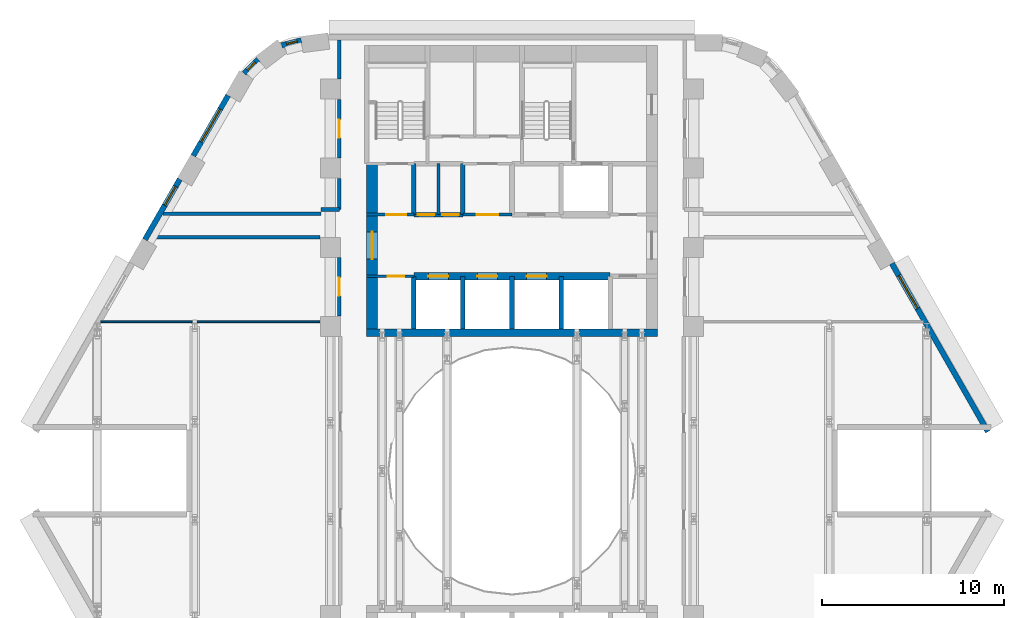
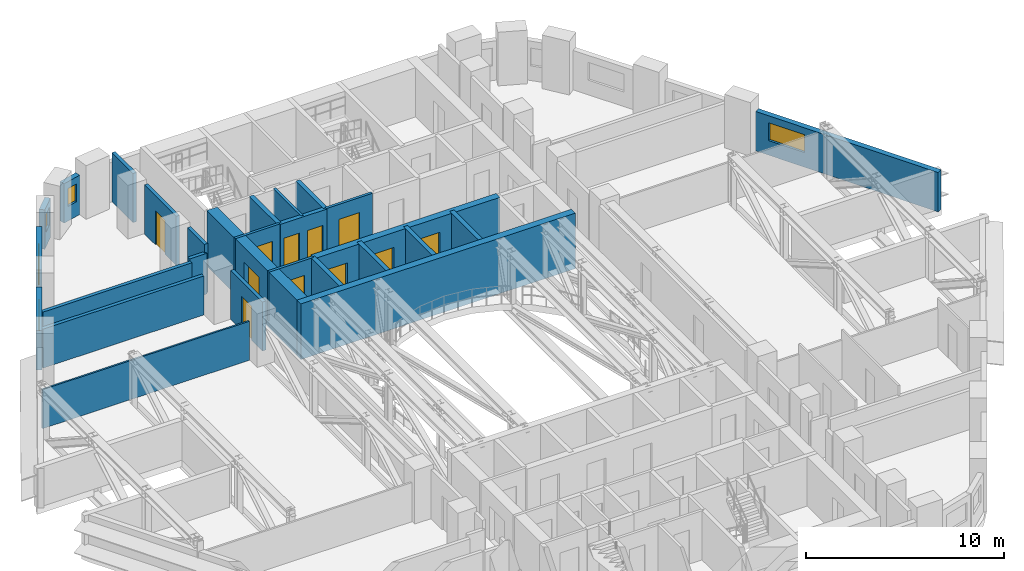
# One storey, part 9 of 18: 27 walls, 11 doors, 5 windows, 16 openings.
"""IFC4 building model written with IfcOpenShell, lengths in metres."""

import ifcopenshell
import ifcopenshell.guid

model = None  # the IFC model being written
_history = None  # IfcOwnerHistory: only IFC2X3 demands one
_inside = {}  # id of a spatial element -> (the spatial element, [elements in it])
_under = {}  # id of a project, library or spatial element -> (it, [spatial elements below it])
_declared = {}  # id of a project -> (the project, [libraries it declares])
_typed = {}  # id of a type object -> (the type object, [elements of that type])
_made_of = {}  # id of a material, layer set ... -> (it, [elements and type objects made of it])


def new_model(schema):
    """Start an empty IFC model of exactly this schema.

    Asked for "IFC4X3", IfcOpenShell would pick the latest addendum, in which some entities
    have other attributes; the version numbers below select the first issue.
    IFC2X3 requires an IfcOwnerHistory on every rooted entity: one is made here for all.
    """
    global model, _history
    if schema == "IFC4X3":
        model = ifcopenshell.file(schema_version=(4, 3, 0, 0))
    else:
        model = ifcopenshell.file(schema=schema)
    _inside.clear()
    _under.clear()
    _declared.clear()
    _typed.clear()
    _made_of.clear()
    _history = None
    if model.schema == "IFC2X3":
        org = make("IfcOrganization", Name="unknown")
        user = make(
            "IfcPersonAndOrganization",
            ThePerson=make("IfcPerson", FamilyName="unknown"),
            TheOrganization=org,
        )
        app = make(
            "IfcApplication",
            ApplicationDeveloper=org,
            Version="unknown",
            ApplicationFullName="unknown",
            ApplicationIdentifier="unknown",
        )
        _history = make(
            "IfcOwnerHistory",
            OwningUser=user,
            OwningApplication=app,
            ChangeAction="ADDED",
            CreationDate=0,
        )
    return model


def make(cls, **values):
    """One entity of the class cls with the attributes given. An attribute that is None is left unset."""
    return model.create_entity(
        cls, **{name: value for name, value in values.items() if value is not None}
    )


def rooted(cls, **values):
    """An entity with a GlobalId (a new one), such as an element, a storey or a relation."""
    return make(cls, GlobalId=ifcopenshell.guid.new(), OwnerHistory=_history, **values)


def si_unit(unit_type, name, prefix=None):
    """IfcSIUnit, for example si_unit("LENGTHUNIT", "METRE", prefix="MILLI")."""
    return make("IfcSIUnit", UnitType=unit_type, Prefix=prefix, Name=name)


def assignment(units):
    """IfcUnitAssignment: the units of a project."""
    return None if units is None else make("IfcUnitAssignment", Units=units)


def point(xyz):
    """IfcCartesianPoint."""
    return None if xyz is None else make("IfcCartesianPoint", Coordinates=xyz)


def direction(xyz):
    """IfcDirection."""
    return None if xyz is None else make("IfcDirection", DirectionRatios=xyz)


def frame(location, z_axis=None, x_axis=None):
    """IfcAxis2Placement3D, a coordinate frame: its origin and axes. An axis left out is left unset."""
    return make(
        "IfcAxis2Placement3D",
        Location=point(location),
        Axis=direction(z_axis),
        RefDirection=direction(x_axis),
    )


def frame_2d(location, x_axis=None):
    """IfcAxis2Placement2D, a coordinate frame in the plane: its origin and x axis."""
    return make(
        "IfcAxis2Placement2D", Location=point(location), RefDirection=direction(x_axis)
    )


def origin():
    """The frame at (0, 0, 0) with its axes left unset."""
    return frame((0.0, 0.0, 0.0))


def place(relative_to, where):
    """IfcLocalPlacement: puts the frame where relative to a parent placement (None: the world)."""
    return make(
        "IfcLocalPlacement", PlacementRelTo=relative_to, RelativePlacement=where
    )


def context(
    kind, dimensions, precision=None, world=None, true_north=None, identifier=None
):
    """IfcGeometricRepresentationContext, for example the 3D "Model" context."""
    return make(
        "IfcGeometricRepresentationContext",
        ContextIdentifier=identifier,
        ContextType=kind,
        CoordinateSpaceDimension=dimensions,
        Precision=precision,
        WorldCoordinateSystem=world,
        TrueNorth=true_north,
    )


def subcontext(parent, identifier, kind, view, scale=None):
    """IfcGeometricRepresentationSubContext, for example "Body" below "Model"."""
    return make(
        "IfcGeometricRepresentationSubContext",
        ContextIdentifier=identifier,
        ContextType=kind,
        ParentContext=parent,
        TargetScale=scale,
        TargetView=view,
    )


def project(units=None, contexts=None):
    """IfcProject with its units and contexts."""
    return rooted(
        "IfcProject",
        Name="project",
        RepresentationContexts=contexts,
        UnitsInContext=assignment(units),
    )


def spatial(cls, under=None, at=None, **own):
    """A site, building, storey or space (cls), placed at a placement, below another one or the project."""
    s = rooted(cls, ObjectPlacement=at, **own)
    if under is not None:
        _under.setdefault(under.id(), (under, []))[1].append(s)
    return s


def profile(cls, at=None, kind="AREA", **sizes):
    """A parametric profile (cls). Its sizes go by their IFC names, for example OverallWidth=200.0."""
    return make(cls, ProfileType=kind, Position=at, **sizes)


def rectangle(**sizes):
    """IfcRectangleProfileDef."""
    return profile("IfcRectangleProfileDef", **sizes)


def extrude(swept, where, along, depth):
    """IfcExtrudedAreaSolid: the profile swept, set in the frame where, extruded along a direction by depth."""
    return make(
        "IfcExtrudedAreaSolid",
        SweptArea=swept,
        Position=where,
        ExtrudedDirection=direction(along),
        Depth=depth,
    )


def shape(context_of_items, identifier, shape_type, items):
    """IfcShapeRepresentation: the items that make up one representation, for example the "Body"."""
    return make(
        "IfcShapeRepresentation",
        ContextOfItems=context_of_items,
        RepresentationIdentifier=identifier,
        RepresentationType=shape_type,
        Items=items,
    )


def material(Name=None, Category=None):
    """IfcMaterial."""
    return make("IfcMaterial", Name=Name, Category=Category)


def layer(
    of_material, thickness, ventilated=None, Name=None, Category=None, Priority=None
):
    """IfcMaterialLayer: one layer of a wall or slab, of a material (None: an air gap)."""
    return make(
        "IfcMaterialLayer",
        Material=of_material,
        LayerThickness=thickness,
        IsVentilated=ventilated,
        Name=Name,
        Category=Category,
        Priority=Priority,
    )


def layer_set(layers, Name=None):
    """IfcMaterialLayerSet."""
    return make("IfcMaterialLayerSet", MaterialLayers=layers, LayerSetName=Name)


def made_of(thing, what):
    """Note that an element or type object is made of a material, layer set ...; save() writes the relation."""
    if what is not None:
        _made_of.setdefault(what.id(), (what, []))[1].append(thing)
    return thing


def type_object(cls, material=None, **own):
    """A type object (cls), such as IfcWallType, which elements share."""
    return made_of(rooted(cls, **own), material)


def element(
    cls,
    number,
    at=None,
    inside=None,
    cuts=None,
    type_object=None,
    material=None,
    context=None,
    identifier="Body",
    shape_type=None,
    held_by="IfcProductDefinitionShape",
    body=None,
    shapes=None,
    **own,
):
    """One element of the class cls, such as IfcWall. Its Tag is "e" and its number.

    at: its placement. inside: the storey or other place that contains it. cuts: it is an
    opening in that element (IfcRelVoidsElement). A single representation is given by context,
    identifier, shape_type and body (its items); several are given by shapes. held_by: the class
    of the entity that holds the representations. save() writes the other relations.
    """
    e = rooted(cls, Tag="e%d" % number, ObjectPlacement=at, **own)
    if body is not None:
        shapes = [shape(context, identifier, shape_type, body)]
    if shapes is not None:
        e.Representation = make(held_by, Representations=shapes)
    if inside is not None:
        _inside.setdefault(inside.id(), (inside, []))[1].append(e)
    if cuts is not None:
        rooted(
            "IfcRelVoidsElement", RelatingBuildingElement=cuts, RelatedOpeningElement=e
        )
    if type_object is not None:
        _typed.setdefault(type_object.id(), (type_object, []))[1].append(e)
    return made_of(e, material)


def fill(opening, filler):
    """IfcRelFillsElement: the door or window that sits in an opening."""
    return rooted(
        "IfcRelFillsElement",
        RelatingOpeningElement=opening,
        RelatedBuildingElement=filler,
    )


def aggregate(whole, parts):
    """IfcRelAggregates: a whole, such as a stair, and the parts it consists of."""
    return rooted("IfcRelAggregates", RelatingObject=whole, RelatedObjects=parts)


def save(model, path):
    """Write the relations noted so far, then the file.

    IfcRelAggregates (storeys below a building ...), IfcRelContainedInSpatialStructure (elements
    in a storey), IfcRelDefinesByType, IfcRelAssociatesMaterial and IfcRelDeclares: one each for
    every whole, place, type object, material and project.
    """
    for whole, parts in _under.values():
        aggregate(whole, parts)
    for where, things in _inside.values():
        rooted(
            "IfcRelContainedInSpatialStructure",
            RelatedElements=things,
            RelatingStructure=where,
        )
    for kind, things in _typed.values():
        rooted("IfcRelDefinesByType", RelatedObjects=things, RelatingType=kind)
    for what, things in _made_of.values():
        rooted("IfcRelAssociatesMaterial", RelatedObjects=things, RelatingMaterial=what)
    for by, libraries in _declared.values():
        rooted("IfcRelDeclares", RelatingContext=by, RelatedDefinitions=libraries)
    model.write(path)


model = new_model("IFC4")

# Units and contexts
model_context = context("Model", 3, precision=1e-05, world=origin(), true_north=direction((0.0, 1.0)))
body_context = subcontext(model_context, "Body", "Model", "MODEL_VIEW")
ifc_project = project(units=[si_unit("LENGTHUNIT", "METRE"), si_unit("AREAUNIT", "SQUARE_METRE"), si_unit("VOLUMEUNIT", "CUBIC_METRE"), si_unit("PLANEANGLEUNIT", "RADIAN"), si_unit("MASSUNIT", "GRAM", prefix="KILO")], contexts=[model_context])

# Site, building, storey
site_placement = place(None, origin())
site = spatial("IfcSite", under=ifc_project, at=site_placement, CompositionType="ELEMENT")
building_placement = place(site_placement, origin())
building = spatial("IfcBuilding", under=site, at=building_placement, Name="Nakaniwa Court", CompositionType="ELEMENT")
storey_placement = place(building_placement, frame((0.0, 0.0, 38.10009765625)))
storey = spatial("IfcBuildingStorey", under=building, at=storey_placement, Name="L09", CompositionType="ELEMENT", Elevation=38.10009765625)

# Walls
ifc_material_1 = material(Name="Acoustic double stud partition")
ifc_layer_1 = layer(ifc_material_1, 0.199951171875)
ifc_layer_set_1 = layer_set([ifc_layer_1], Name="Acoustic double stud partition")
wall_type_1 = type_object("IfcWallType", Name="Acoustic double stud partition 200", PredefinedType="PARTITIONING", material=ifc_layer_set_1)
wall_1_placement = place(storey_placement, frame((60.052490234375, 92.85009765625, 0.0), z_axis=(0.0, 0.0, 1.0), x_axis=(1.0, 0.0, 0.0)))
element("IfcWall", 1, at=wall_1_placement, inside=storey, type_object=wall_type_1, Name="Partition PW-079", PredefinedType="PARTITIONING", context=body_context, shape_type="SweptSolid", body=[
    extrude(rectangle(XDim=9.380615234375, YDim=0.199951171875, at=frame_2d((4.6904296875, 0.0))), origin(), (0.0, 0.0, 1.0), 2.40478515625),
])
wall_2_placement = place(storey_placement, frame((69.5, 94.375, 0.0), z_axis=(0.0, 0.0, 1.0), x_axis=(1.0, 0.0, 0.0)))
element("IfcWall", 2, at=wall_2_placement, inside=storey, type_object=wall_type_1, Name="Partition PW-081", PredefinedType="PARTITIONING", context=body_context, shape_type="SweptSolid", body=[
    extrude(rectangle(XDim=1.0, YDim=0.199951171875, at=frame_2d((0.5, 0.0))), origin(), (0.0, 0.0, 1.0), 2.5048828125),
])
wall_3_placement = place(storey_placement, frame((60.802978515625, 94.14990234375, 0.0), z_axis=(0.0, 0.0, 1.0), x_axis=(1.0, 0.0, 0.0)))
element("IfcWall", 3, at=wall_3_placement, inside=storey, type_object=wall_type_1, Name="Partition PW-083", PredefinedType="PARTITIONING", context=body_context, shape_type="SweptSolid", body=[
    extrude(rectangle(XDim=8.697021484375, YDim=0.199951171875, at=frame_2d((4.3486328125, 0.0))), origin(), (0.0, 0.0, 1.0), 2.40478515625),
])

# Wall, opening, door
wall_4_placement = place(storey_placement, frame((70.5, 88.51708984375, 0.0), z_axis=(0.0, 0.0, 1.0), x_axis=(0.0, 1.0, 0.0)))
wall_4 = element("IfcWall", 4, at=wall_4_placement, inside=storey, type_object=wall_type_1, Name="Partition PW-098", PredefinedType="PARTITIONING", context=body_context, shape_type="SweptSolid", body=[
    extrude(rectangle(XDim=3.2158203125, YDim=0.199951171875, at=frame_2d((1.60791015625, 0.0))), origin(), (0.0, 0.0, 1.0), 3.02490234375),
])
opening_1_placement = place(wall_4_placement, frame((1.10791015625, 0.0, 0.0)))
opening_1 = element("IfcOpeningElement", 5, at=opening_1_placement, cuts=wall_4, Name="Opening D-02-06", PredefinedType="OPENING", context=body_context, shape_type="SweptSolid", body=[
    extrude(rectangle(XDim=1.0, YDim=2.10009765625, at=frame_2d((0.5, 1.050048828125))), frame((0.0, 0.10986328125, 0.0), z_axis=(0.0, -1.0, 0.0), x_axis=(1.0, 0.0, 0.0)), (0.0, 0.0, 1.0), 0.219970703125),
])
ifc_material_2 = material(Name="Solid core timber door set, black veneer", Category="wood")
door_type_1 = type_object("IfcDoorType", Name="Internal door 1000", OperationType="NOTDEFINED", PredefinedType="DOOR", material=ifc_material_2)
door_1_placement = place(opening_1_placement, origin())
door_1 = element("IfcDoor", 6, at=door_1_placement, inside=storey, type_object=door_type_1, Name="Door D-02-06 L09-036", OperationType="SINGLE_SWING_LEFT", OverallHeight=2.10009765625, OverallWidth=1.0, PredefinedType="DOOR", context=body_context, shape_type="SweptSolid", body=[
    extrude(rectangle(XDim=1.0, YDim=2.10009765625, at=frame_2d((0.5, 1.050048828125))), frame((0.0, 0.02490234375, 0.0), z_axis=(0.0, -1.0, 0.0), x_axis=(1.0, 0.0, 0.0)), (0.0, 0.0, 1.0), 0.050048828125),
])
fill(opening_1, door_1)

# Wall
wall_5_placement = place(storey_placement, frame((70.5, 94.3720703125, 0.0), z_axis=(0.0, 0.0, 1.0), x_axis=(0.0, 1.0, 0.0)))
element("IfcWall", 7, at=wall_5_placement, inside=storey, type_object=wall_type_1, Name="Partition PW-099", PredefinedType="PARTITIONING", context=body_context, shape_type="SweptSolid", body=[
    extrude(rectangle(XDim=1.7109375, YDim=0.199951171875, at=frame_2d((0.85546875, 0.0))), origin(), (0.0, 0.0, 1.0), 3.02490234375),
])

# Wall, opening, door
wall_6_placement = place(storey_placement, frame((70.5, 97.217041015625, 0.0), z_axis=(0.0, 0.0, 1.0), x_axis=(0.0, 1.0, 0.0)))
wall_6 = element("IfcWall", 8, at=wall_6_placement, inside=storey, type_object=wall_type_1, Name="Partition PW-100", PredefinedType="PARTITIONING", context=body_context, shape_type="SweptSolid", body=[
    extrude(rectangle(XDim=3.216064453125, YDim=0.199951171875, at=frame_2d((1.60791015625, 0.0))), origin(), (0.0, 0.0, 1.0), 3.02490234375),
])
opening_2_placement = place(wall_6_placement, frame((1.10791015625, 0.0, 0.0)))
opening_2 = element("IfcOpeningElement", 9, at=opening_2_placement, cuts=wall_6, Name="Opening D-02-07", PredefinedType="OPENING", context=body_context, shape_type="SweptSolid", body=[
    extrude(rectangle(XDim=1.0, YDim=2.10009765625, at=frame_2d((0.5, 1.050048828125))), frame((0.0, 0.10986328125, 0.0), z_axis=(0.0, -1.0, 0.0), x_axis=(1.0, 0.0, 0.0)), (0.0, 0.0, 1.0), 0.219970703125),
])
door_2_placement = place(opening_2_placement, origin())
door_2 = element("IfcDoor", 10, at=door_2_placement, inside=storey, type_object=door_type_1, Name="Door D-02-07 L09-037", OperationType="SINGLE_SWING_RIGHT", OverallHeight=2.10009765625, OverallWidth=1.0, PredefinedType="DOOR", context=body_context, shape_type="SweptSolid", body=[
    extrude(rectangle(XDim=1.0, YDim=2.10009765625, at=frame_2d((0.5, 1.050048828125))), frame((0.0, 0.02490234375, 0.0), z_axis=(0.0, -1.0, 0.0), x_axis=(1.0, 0.0, 0.0)), (0.0, 0.0, 1.0), 0.050048828125),
])
fill(opening_2, door_2)

# Wall
wall_7_placement = place(storey_placement, frame((70.5, 101.56689453125, 0.0), z_axis=(0.0, 0.0, 1.0), x_axis=(0.0, 1.0, 0.0)))
element("IfcWall", 11, at=wall_7_placement, inside=storey, type_object=wall_type_1, Name="Partition PW-101", PredefinedType="PARTITIONING", context=body_context, shape_type="SweptSolid", body=[
    extrude(rectangle(XDim=2.133056640625, YDim=0.199951171875, at=frame_2d((1.06640625, 0.0))), origin(), (0.0, 0.0, 1.0), 3.02490234375),
])

# Wall, opening, window
ifc_material_3 = material(Name="Charcoal ceramic cladding")
ifc_layer_2 = layer(ifc_material_3, 0.02, Name="Ceramic cladding")
ifc_material_4 = material(Name="Ventilated air cavity")
ifc_layer_3 = layer(ifc_material_4, 0.04, ventilated=True, Name="Ventilated cavity")
ifc_material_5 = material(Name="Mineral wool insulation")
ifc_layer_4 = layer(ifc_material_5, 0.1, Name="Insulation")
ifc_material_6 = material(Name="Cement bonded sheathing board")
ifc_layer_5 = layer(ifc_material_6, 0.012, Name="Sheathing")
ifc_material_7 = material(Name="Cold-formed galvanised stud frame with mineral wool infill")
ifc_layer_6 = layer(ifc_material_7, 0.1, Name="Stud frame")
ifc_material_8 = material(Name="Fire-rated gypsum plasterboard lining")
ifc_layer_7 = layer(ifc_material_8, 0.028, Name="Lining")
ifc_layer_set_2 = layer_set([ifc_layer_2, ifc_layer_3, ifc_layer_4, ifc_layer_5, ifc_layer_6, ifc_layer_7], Name="Charcoal ceramic faced external wall system")
wall_type_2 = type_object("IfcWallType", Name="Black ceramic faced external wall 300", PredefinedType="SOLIDWALL", material=ifc_layer_set_2)
wall_8_placement = place(storey_placement, frame((68.4052734375, 103.68310546875, 0.0), z_axis=(0.0, 0.0, 1.0), x_axis=(-0.969766298956, -0.244035500304, 0.0)))
wall_8 = element("IfcWall", 12, at=wall_8_placement, inside=storey, type_object=wall_type_2, Name="L09 external wall 05", PredefinedType="SOLIDWALL", context=body_context, shape_type="SweptSolid", body=[
    extrude(rectangle(XDim=1.110595703125, YDim=0.300048828125, at=frame_2d((0.55517578125, 0.0))), origin(), (0.0, 0.0, 1.0), 2.4248046875),
])
opening_3_placement = place(wall_8_placement, frame((0.230712890625, 0.0, 0.89990234375)))
opening_3 = element("IfcOpeningElement", 13, at=opening_3_placement, cuts=wall_8, Name="Opening W8.05", PredefinedType="OPENING", context=body_context, shape_type="SweptSolid", body=[
    extrude(rectangle(XDim=0.60009765625, YDim=1.10009765625, at=frame_2d((0.300048828125, 0.550048828125))), frame((0.0, 0.159912109375, 0.0), z_axis=(0.0, -1.0, 0.0), x_axis=(1.0, 0.0, 0.0)), (0.0, 0.0, 1.0), 0.320068359375),
])
ifc_material_9 = material(Name="Black anodised aluminium frame with dark low-E laminated double glazing", Category="aluminium")
window_type_1 = type_object("IfcWindowType", Name="Dark glass window 600x1100 sill 900", PartitioningType="SINGLE_PANEL", PredefinedType="WINDOW", material=ifc_material_9)
window_1_placement = place(opening_3_placement, origin())
window_1 = element("IfcWindow", 14, at=window_1_placement, inside=storey, type_object=window_type_1, Name="L09 habitable room window 05-0", OverallHeight=1.10009765625, OverallWidth=0.60009765625, PartitioningType="SINGLE_PANEL", PredefinedType="WINDOW", context=body_context, shape_type="SweptSolid", body=[
    extrude(rectangle(XDim=0.60009765625, YDim=1.10009765625, at=frame_2d((0.300048828125, 0.550048828125))), frame((0.0, 0.030029296875, 0.0), z_axis=(0.0, -1.0, 0.0), x_axis=(1.0, 0.0, 0.0)), (0.0, 0.0, 1.0), 0.06005859375),
])
fill(opening_3, window_1)

wall_9_placement = place(storey_placement, frame((66.04150390625, 102.637451171875, 0.0), z_axis=(0.0, 0.0, 1.0), x_axis=(-0.708892395813, -0.705316646024, 0.0)))
wall_9 = element("IfcWall", 15, at=wall_9_placement, inside=storey, type_object=wall_type_2, Name="L09 external wall 06", PredefinedType="SOLIDWALL", context=body_context, shape_type="SweptSolid", body=[
    extrude(rectangle(XDim=1.092529296875, YDim=0.300048828125, at=frame_2d((0.54638671875, 0.0))), origin(), (0.0, 0.0, 1.0), 2.4248046875),
])
opening_4_placement = place(wall_9_placement, frame((0.23583984375, 0.0, 0.89990234375)))
opening_4 = element("IfcOpeningElement", 16, at=opening_4_placement, cuts=wall_9, Name="Opening W8.06", PredefinedType="OPENING", context=body_context, shape_type="SweptSolid", body=[
    extrude(rectangle(XDim=0.60009765625, YDim=1.10009765625, at=frame_2d((0.300048828125, 0.550048828125))), frame((0.0, 0.159912109375, 0.0), z_axis=(0.0, -1.0, 0.0), x_axis=(1.0, 0.0, 0.0)), (0.0, 0.0, 1.0), 0.320068359375),
])
window_2_placement = place(opening_4_placement, origin())
window_2 = element("IfcWindow", 17, at=window_2_placement, inside=storey, type_object=window_type_1, Name="L09 habitable room window 06-0", OverallHeight=1.10009765625, OverallWidth=0.60009765625, PartitioningType="SINGLE_PANEL", PredefinedType="WINDOW", context=body_context, shape_type="SweptSolid", body=[
    extrude(rectangle(XDim=0.60009765625, YDim=1.10009765625, at=frame_2d((0.300048828125, 0.550048828125))), frame((0.0, 0.030029296875, 0.0), z_axis=(0.0, -1.0, 0.0), x_axis=(1.0, 0.0, 0.0)), (0.0, 0.0, 1.0), 0.06005859375),
])
fill(opening_4, window_2)

wall_10_placement = place(storey_placement, frame((64.384765625, 100.653564453125, 0.0), z_axis=(0.0, 0.0, 1.0), x_axis=(-0.499974163209, -0.866040320149, 0.0)))
wall_10 = element("IfcWall", 18, at=wall_10_placement, inside=storey, type_object=wall_type_2, Name="L09 external wall 07", PredefinedType="SOLIDWALL", context=body_context, shape_type="SweptSolid", body=[
    extrude(rectangle(XDim=3.834228515625, YDim=0.300048828125, at=frame_2d((1.9169921875, 0.0))), origin(), (0.0, 0.0, 1.0), 2.4248046875),
])
opening_5_placement = place(wall_10_placement, frame((0.866943359375, 0.0, 0.89990234375)))
opening_5 = element("IfcOpeningElement", 19, at=opening_5_placement, cuts=wall_10, Name="Opening W7.07", PredefinedType="OPENING", context=body_context, shape_type="SweptSolid", body=[
    extrude(rectangle(XDim=2.10009765625, YDim=1.10009765625, at=frame_2d((1.050048828125, 0.550048828125))), frame((0.0, 0.159912109375, 0.0), z_axis=(0.0, -1.0, 0.0), x_axis=(1.0, 0.0, 0.0)), (0.0, 0.0, 1.0), 0.320068359375),
])
window_type_2 = type_object("IfcWindowType", Name="Dark glass window 2100x1100 sill 900", PartitioningType="SINGLE_PANEL", PredefinedType="WINDOW", material=ifc_material_9)
window_3_placement = place(opening_5_placement, origin())
window_3 = element("IfcWindow", 20, at=window_3_placement, inside=storey, type_object=window_type_2, Name="L09 habitable room window 07-0", OverallHeight=1.10009765625, OverallWidth=2.10009765625, PartitioningType="SINGLE_PANEL", PredefinedType="WINDOW", context=body_context, shape_type="SweptSolid", body=[
    extrude(rectangle(XDim=2.10009765625, YDim=1.10009765625, at=frame_2d((1.050048828125, 0.550048828125))), frame((0.0, 0.030029296875, 0.0), z_axis=(0.0, -1.0, 0.0), x_axis=(1.0, 0.0, 0.0)), (0.0, 0.0, 1.0), 0.06005859375),
])
fill(opening_5, window_3)

wall_11_placement = place(storey_placement, frame((61.7216796875, 96.041015625, 0.0), z_axis=(0.0, 0.0, 1.0), x_axis=(-0.500001735503, -0.866024401789, 0.0)))
wall_11 = element("IfcWall", 21, at=wall_11_placement, inside=storey, type_object=wall_type_2, Name="L09 external wall 08", PredefinedType="SOLIDWALL", context=body_context, shape_type="SweptSolid", body=[
    extrude(rectangle(XDim=3.833984375, YDim=0.300048828125, at=frame_2d((1.9169921875, 0.0))), origin(), (0.0, 0.0, 1.0), 2.4248046875),
])
opening_6_placement = place(wall_11_placement, frame((0.454833984375, 0.0, 0.89990234375)))
opening_6 = element("IfcOpeningElement", 22, at=opening_6_placement, cuts=wall_11, Name="Opening W6.08", PredefinedType="OPENING", context=body_context, shape_type="SweptSolid", body=[
    extrude(rectangle(XDim=1.199951171875, YDim=1.10009765625, at=frame_2d((0.60009765625, 0.550048828125))), frame((0.0, 0.159912109375, 0.0), z_axis=(0.0, -1.0, 0.0), x_axis=(1.0, 0.0, 0.0)), (0.0, 0.0, 1.0), 0.320068359375),
])
window_type_3 = type_object("IfcWindowType", Name="Dark glass window 1200x1100 sill 900", PartitioningType="SINGLE_PANEL", PredefinedType="WINDOW", material=ifc_material_9)
window_4_placement = place(opening_6_placement, origin())
window_4 = element("IfcWindow", 23, at=window_4_placement, inside=storey, type_object=window_type_3, Name="L09 habitable room window 08-0", OverallHeight=1.10009765625, OverallWidth=1.199951171875, PartitioningType="SINGLE_PANEL", PredefinedType="WINDOW", context=body_context, shape_type="SweptSolid", body=[
    extrude(rectangle(XDim=1.199951171875, YDim=1.10009765625, at=frame_2d((0.60009765625, 0.550048828125))), frame((0.0, 0.030029296875, 0.0), z_axis=(0.0, -1.0, 0.0), x_axis=(1.0, 0.0, 0.0)), (0.0, 0.0, 1.0), 0.06005859375),
])
fill(opening_6, window_4)

wall_12_placement = place(storey_placement, frame((106.18505859375, 82.152099609375, 0.0), z_axis=(0.0, 0.0, 1.0), x_axis=(-0.49599088679, 0.868327726277, 0.0)))
wall_12 = element("IfcWall", 24, at=wall_12_placement, inside=storey, type_object=wall_type_2, Name="L09 external wall 27", PredefinedType="SOLIDWALL", context=body_context, shape_type="SweptSolid", body=[
    extrude(rectangle(XDim=10.65576171875, YDim=0.300048828125, at=frame_2d((5.327880859375, 0.0))), origin(), (0.0, 0.0, 1.0), 2.4248046875),
])
opening_7_placement = place(wall_12_placement, frame((7.796630859375, 0.0, 0.89990234375)))
opening_7 = element("IfcOpeningElement", 25, at=opening_7_placement, cuts=wall_12, Name="Opening W7.20", PredefinedType="OPENING", context=body_context, shape_type="SweptSolid", body=[
    extrude(rectangle(XDim=2.10009765625, YDim=1.10009765625, at=frame_2d((1.050048828125, 0.550048828125))), frame((0.0, 0.159912109375, 0.0), z_axis=(0.0, -1.0, 0.0), x_axis=(1.0, 0.0, 0.0)), (0.0, 0.0, 1.0), 0.320068359375),
])
window_5_placement = place(opening_7_placement, origin())
window_5 = element("IfcWindow", 26, at=window_5_placement, inside=storey, type_object=window_type_2, Name="L09 habitable room window 27-1", OverallHeight=1.10009765625, OverallWidth=2.10009765625, PartitioningType="SINGLE_PANEL", PredefinedType="WINDOW", context=body_context, shape_type="SweptSolid", body=[
    extrude(rectangle(XDim=2.10009765625, YDim=1.10009765625, at=frame_2d((1.050048828125, 0.550048828125))), frame((0.0, 0.030029296875, 0.0), z_axis=(0.0, -1.0, 0.0), x_axis=(1.0, 0.0, 0.0)), (0.0, 0.0, 1.0), 0.06005859375),
])
fill(opening_7, window_5)

# Wall, opening, door
ifc_material_10 = material(Name="Blockwork partition", Category="masonry")
ifc_layer_8 = layer(ifc_material_10, 0.14990234375)
ifc_layer_set_3 = layer_set([ifc_layer_8], Name="Blockwork partition")
wall_type_3 = type_object("IfcWallType", Name="Blockwork partition 150", PredefinedType="PARTITIONING", material=ifc_layer_set_3)
wall_13_placement = place(storey_placement, frame((74.60009765625, 90.699951171875, 0.0), z_axis=(0.0, 0.0, 1.0), x_axis=(-1.0, 0.0, 0.0)))
wall_13 = element("IfcWall", 27, at=wall_13_placement, inside=storey, type_object=wall_type_3, Name="Partition PW-003", PredefinedType="PARTITIONING", context=body_context, shape_type="SweptSolid", body=[
    extrude(rectangle(XDim=2.60009765625, YDim=0.14990234375, at=frame_2d((1.300048828125, 0.0))), origin(), (0.0, 0.0, 1.0), 3.02490234375),
])
opening_8_placement = place(wall_13_placement, frame((0.52490234375, 0.0, 0.0)))
opening_8 = element("IfcOpeningElement", 28, at=opening_8_placement, cuts=wall_13, Name="Opening D-05-01", PredefinedType="OPENING", context=body_context, shape_type="SweptSolid", body=[
    extrude(rectangle(XDim=0.89990234375, YDim=2.10009765625, at=frame_2d((0.449951171875, 1.050048828125))), frame((0.0, 0.0849609375, 0.0), z_axis=(0.0, -1.0, 0.0), x_axis=(1.0, 0.0, 0.0)), (0.0, 0.0, 1.0), 0.169921875),
])
ifc_material_11 = material(Name="Fire rated steel door set", Category="steel")
door_type_2 = type_object("IfcDoorType", Name="Service room door 900", OperationType="NOTDEFINED", PredefinedType="DOOR", material=ifc_material_11)
door_3_placement = place(opening_8_placement, origin())
door_3 = element("IfcDoor", 29, at=door_3_placement, inside=storey, type_object=door_type_2, Name="Door D-05-01 L09-001", OperationType="SINGLE_SWING_RIGHT", OverallHeight=2.10009765625, OverallWidth=0.89990234375, PredefinedType="DOOR", context=body_context, shape_type="SweptSolid", body=[
    extrude(rectangle(XDim=0.89990234375, YDim=2.10009765625, at=frame_2d((0.449951171875, 1.050048828125))), frame((0.0, 0.02490234375, 0.0), z_axis=(0.0, -1.0, 0.0), x_axis=(1.0, 0.0, 0.0)), (0.0, 0.0, 1.0), 0.050048828125),
])
fill(opening_8, door_3)

wall_14_placement = place(storey_placement, frame((72.0, 94.10009765625, 0.0), z_axis=(0.0, 0.0, 1.0), x_axis=(1.0, 0.0, 0.0)))
wall_14 = element("IfcWall", 30, at=wall_14_placement, inside=storey, type_object=wall_type_3, Name="Partition PW-016", PredefinedType="PARTITIONING", context=body_context, shape_type="SweptSolid", body=[
    extrude(rectangle(XDim=2.60302734375, YDim=0.14990234375, at=frame_2d((1.301513671875, 0.0))), origin(), (0.0, 0.0, 1.0), 3.02490234375),
])
opening_9_placement = place(wall_14_placement, frame((1.074951171875, 0.0, 0.0)))
opening_9 = element("IfcOpeningElement", 31, at=opening_9_placement, cuts=wall_14, Name="Opening D-08-01", PredefinedType="OPENING", context=body_context, shape_type="SweptSolid", body=[
    extrude(rectangle(XDim=1.10009765625, YDim=2.10009765625, at=frame_2d((0.550048828125, 1.050048828125))), frame((0.0, 0.0849609375, 0.0), z_axis=(0.0, -1.0, 0.0), x_axis=(1.0, 0.0, 0.0)), (0.0, 0.0, 1.0), 0.169921875),
])
door_type_3 = type_object("IfcDoorType", Name="Stair lobby door 1100", OperationType="NOTDEFINED", PredefinedType="DOOR", material=ifc_material_11)
door_4_placement = place(opening_9_placement, origin())
door_4 = element("IfcDoor", 32, at=door_4_placement, inside=storey, type_object=door_type_3, Name="Door D-08-01 L09-003", OperationType="SINGLE_SWING_RIGHT", OverallHeight=2.10009765625, OverallWidth=1.10009765625, PredefinedType="DOOR", context=body_context, shape_type="SweptSolid", body=[
    extrude(rectangle(XDim=1.10009765625, YDim=2.10009765625, at=frame_2d((0.550048828125, 1.050048828125))), frame((0.0, 0.02490234375, 0.0), z_axis=(0.0, -1.0, 0.0), x_axis=(1.0, 0.0, 0.0)), (0.0, 0.0, 1.0), 0.050048828125),
])
fill(opening_9, door_4)

wall_15_placement = place(storey_placement, frame((77.297119140625, 94.10009765625, 0.0), z_axis=(0.0, 0.0, 1.0), x_axis=(1.0, 0.0, 0.0)))
wall_15 = element("IfcWall", 33, at=wall_15_placement, inside=storey, type_object=wall_type_3, Name="Partition PW-017", PredefinedType="PARTITIONING", context=body_context, shape_type="SweptSolid", body=[
    extrude(rectangle(XDim=2.705810546875, YDim=0.14990234375, at=frame_2d((1.35302734375, 0.0))), origin(), (0.0, 0.0, 1.0), 3.02490234375),
])
opening_10_placement = place(wall_15_placement, frame((0.7529296875, 0.0, 0.0)))
opening_10 = element("IfcOpeningElement", 34, at=opening_10_placement, cuts=wall_15, Name="Opening D-06-01", PredefinedType="OPENING", context=body_context, shape_type="SweptSolid", body=[
    extrude(rectangle(XDim=1.199951171875, YDim=2.10009765625, at=frame_2d((0.60009765625, 1.050048828125))), frame((0.0, 0.0849609375, 0.0), z_axis=(0.0, -1.0, 0.0), x_axis=(1.0, 0.0, 0.0)), (0.0, 0.0, 1.0), 0.169921875),
])
ifc_material_12 = material(Name="Fire rated steel double door set", Category="steel")
door_type_4 = type_object("IfcDoorType", Name="Service passage double door 1200", OperationType="NOTDEFINED", PredefinedType="DOOR", material=ifc_material_12)
door_5_placement = place(opening_10_placement, origin())
door_5 = element("IfcDoor", 35, at=door_5_placement, inside=storey, type_object=door_type_4, Name="Door D-06-01 L09-006", OperationType="DOUBLE_DOOR_SINGLE_SWING", OverallHeight=2.10009765625, OverallWidth=1.199951171875, PredefinedType="DOOR", context=body_context, shape_type="SweptSolid", body=[
    extrude(rectangle(XDim=1.199951171875, YDim=2.10009765625, at=frame_2d((0.60009765625, 1.050048828125))), frame((0.0, 0.02490234375, 0.0), z_axis=(0.0, -1.0, 0.0), x_axis=(1.0, 0.0, 0.0)), (0.0, 0.0, 1.0), 0.050048828125),
])
fill(opening_10, door_5)

# Wall
wall_16_placement = place(storey_placement, frame((75.949951171875, 94.10009765625, 0.0), z_axis=(0.0, 0.0, 1.0), x_axis=(0.0, 1.0, 0.0)))
element("IfcWall", 36, at=wall_16_placement, inside=storey, type_object=wall_type_3, Name="Partition PW-023", PredefinedType="PARTITIONING", context=body_context, shape_type="SweptSolid", body=[
    extrude(rectangle(XDim=2.7998046875, YDim=0.14990234375, at=frame_2d((1.39990234375, 0.0))), origin(), (0.0, 0.0, 1.0), 3.02490234375),
])

# Wall, opening, door
ifc_material_13 = material(Name="Concrete C100/115", Category="concrete")
ifc_layer_9 = layer(ifc_material_13, 0.60009765625)
ifc_layer_set_4 = layer_set([ifc_layer_9], Name="Concrete C100/115")
wall_type_4 = type_object("IfcWallType", Name="Concrete core side wall 600 C100", PredefinedType="SHEAR", material=ifc_layer_set_4)
wall_17_placement = place(storey_placement, frame((72.300048828125, 87.800048828125, -0.400146484375), z_axis=(0.0, 0.0, 1.0), x_axis=(0.0, 1.0, 0.0)))
wall_17 = element("IfcWall", 37, at=wall_17_placement, inside=storey, type_object=wall_type_4, Name="Core wall SW-04", PredefinedType="SHEAR", context=body_context, shape_type="SweptSolid", body=[
    extrude(rectangle(XDim=9.099853515625, YDim=0.60009765625, at=frame_2d((4.5498046875, 0.0))), origin(), (0.0, 0.0, 1.0), 3.425048828125),
])
opening_11_placement = place(wall_17_placement, frame((3.85009765625, 0.0, 0.39990234375)))
opening_11 = element("IfcOpeningElement", 38, at=opening_11_placement, cuts=wall_17, Name="Opening D-07-02", PredefinedType="OPENING", context=body_context, shape_type="SweptSolid", body=[
    extrude(rectangle(XDim=1.5, YDim=2.10009765625, at=frame_2d((0.75, 1.050048828125))), frame((0.0, 0.31005859375, 0.0), z_axis=(0.0, -1.0, 0.0), x_axis=(1.0, 0.0, 0.0)), (0.0, 0.0, 1.0), 0.6201171875),
])
ifc_material_14 = material(Name="Glazed fire rated steel double door set", Category="steel")
door_type_5 = type_object("IfcDoorType", Name="Lobby double door 1500", OperationType="NOTDEFINED", PredefinedType="DOOR", material=ifc_material_14)
door_6_placement = place(opening_11_placement, origin())
door_6 = element("IfcDoor", 39, at=door_6_placement, inside=storey, type_object=door_type_5, Name="Door D-07-02 L09-043", OperationType="DOUBLE_DOOR_SINGLE_SWING", OverallHeight=2.10009765625, OverallWidth=1.5, PredefinedType="DOOR", context=body_context, shape_type="SweptSolid", body=[
    extrude(rectangle(XDim=1.5, YDim=2.10009765625, at=frame_2d((0.75, 1.050048828125))), frame((0.0, 0.02490234375, 0.0), z_axis=(0.0, -1.0, 0.0), x_axis=(1.0, 0.0, 0.0)), (0.0, 0.0, 1.0), 0.050048828125),
])
fill(opening_11, door_6)

# Wall, openings, doors
ifc_layer_10 = layer(ifc_material_13, 0.39990234375)
ifc_layer_set_5 = layer_set([ifc_layer_10], Name="Concrete C100/115")
wall_type_5 = type_object("IfcWallType", Name="Concrete core spine wall 400 C100", PredefinedType="SHEAR", material=ifc_layer_set_5)
wall_18_placement = place(storey_placement, frame((74.60009765625, 90.699951171875, -0.400146484375), z_axis=(0.0, 0.0, 1.0), x_axis=(1.0, 0.0, 0.0)))
wall_18 = element("IfcWall", 40, at=wall_18_placement, inside=storey, type_object=wall_type_5, Name="Core wall SW-07", PredefinedType="SHEAR", context=body_context, shape_type="SweptSolid", body=[
    extrude(rectangle(XDim=10.7998046875, YDim=0.39990234375, at=frame_2d((5.39990234375, 0.0))), origin(), (0.0, 0.0, 1.0), 3.425048828125),
])
opening_12_placement = place(wall_18_placement, frame((0.800048828125, 0.0, 0.39990234375)))
opening_12 = element("IfcOpeningElement", 41, at=opening_12_placement, cuts=wall_18, Name="Opening LD01", PredefinedType="OPENING", context=body_context, shape_type="SweptSolid", body=[
    extrude(rectangle(XDim=1.10009765625, YDim=2.10009765625, at=frame_2d((0.550048828125, 1.050048828125))), frame((0.0, 0.2099609375, 0.0), z_axis=(0.0, -1.0, 0.0), x_axis=(1.0, 0.0, 0.0)), (0.0, 0.0, 1.0), 0.419921875),
])
opening_13_placement = place(wall_18_placement, frame((3.5, 0.0, 0.39990234375)))
opening_13 = element("IfcOpeningElement", 42, at=opening_13_placement, cuts=wall_18, Name="Opening LD02", PredefinedType="OPENING", context=body_context, shape_type="SweptSolid", body=[
    extrude(rectangle(XDim=1.10009765625, YDim=2.10009765625, at=frame_2d((0.550048828125, 1.050048828125))), frame((0.0, 0.2099609375, 0.0), z_axis=(0.0, -1.0, 0.0), x_axis=(1.0, 0.0, 0.0)), (0.0, 0.0, 1.0), 0.419921875),
])
opening_14_placement = place(wall_18_placement, frame((6.199951171875, 0.0, 0.39990234375)))
opening_14 = element("IfcOpeningElement", 43, at=opening_14_placement, cuts=wall_18, Name="Opening LD03", PredefinedType="OPENING", context=body_context, shape_type="SweptSolid", body=[
    extrude(rectangle(XDim=1.10009765625, YDim=2.10009765625, at=frame_2d((0.550048828125, 1.050048828125))), frame((0.0, 0.2099609375, 0.0), z_axis=(0.0, -1.0, 0.0), x_axis=(1.0, 0.0, 0.0)), (0.0, 0.0, 1.0), 0.419921875),
])
ifc_material_15 = material(Name="Stainless steel sliding lift landing door", Category="steel")
door_type_6 = type_object("IfcDoorType", Name="Lift landing door 1100", OperationType="NOTDEFINED", PredefinedType="DOOR", material=ifc_material_15)
door_7_placement = place(opening_12_placement, origin())
door_7 = element("IfcDoor", 44, at=door_7_placement, inside=storey, type_object=door_type_6, Name="Lift landing door LD01 L09-001", OperationType="SLIDING_TO_LEFT", OverallHeight=2.10009765625, OverallWidth=1.10009765625, PredefinedType="DOOR", context=body_context, shape_type="SweptSolid", body=[
    extrude(rectangle(XDim=1.10009765625, YDim=2.10009765625, at=frame_2d((0.550048828125, 1.050048828125))), frame((0.0, 0.02490234375, 0.0), z_axis=(0.0, -1.0, 0.0), x_axis=(1.0, 0.0, 0.0)), (0.0, 0.0, 1.0), 0.050048828125),
])
fill(opening_12, door_7)
door_8_placement = place(opening_13_placement, origin())
door_8 = element("IfcDoor", 45, at=door_8_placement, inside=storey, type_object=door_type_6, Name="Lift landing door LD02 L09-002", OperationType="SLIDING_TO_LEFT", OverallHeight=2.10009765625, OverallWidth=1.10009765625, PredefinedType="DOOR", context=body_context, shape_type="SweptSolid", body=[
    extrude(rectangle(XDim=1.10009765625, YDim=2.10009765625, at=frame_2d((0.550048828125, 1.050048828125))), frame((0.0, 0.02490234375, 0.0), z_axis=(0.0, -1.0, 0.0), x_axis=(1.0, 0.0, 0.0)), (0.0, 0.0, 1.0), 0.050048828125),
])
fill(opening_13, door_8)
door_9_placement = place(opening_14_placement, origin())
door_9 = element("IfcDoor", 46, at=door_9_placement, inside=storey, type_object=door_type_6, Name="Lift landing door LD03 L09-003", OperationType="SLIDING_TO_LEFT", OverallHeight=2.10009765625, OverallWidth=1.10009765625, PredefinedType="DOOR", context=body_context, shape_type="SweptSolid", body=[
    extrude(rectangle(XDim=1.10009765625, YDim=2.10009765625, at=frame_2d((0.550048828125, 1.050048828125))), frame((0.0, 0.02490234375, 0.0), z_axis=(0.0, -1.0, 0.0), x_axis=(1.0, 0.0, 0.0)), (0.0, 0.0, 1.0), 0.050048828125),
])
fill(opening_14, door_9)

# Walls
ifc_layer_11 = layer(ifc_material_13, 0.39990234375)
ifc_layer_set_6 = layer_set([ifc_layer_11], Name="Concrete C100/115")
wall_type_6 = type_object("IfcWallType", Name="Concrete core well wall 400 C100", PredefinedType="SHEAR", material=ifc_layer_set_6)
wall_19_placement = place(storey_placement, frame((72.0, 87.60009765625, -0.400146484375), z_axis=(0.0, 0.0, 1.0), x_axis=(1.0, 0.0, 0.0)))
element("IfcWall", 47, at=wall_19_placement, inside=storey, type_object=wall_type_6, Name="Core wall SW-110", PredefinedType="SHEAR", context=body_context, shape_type="SweptSolid", body=[
    extrude(rectangle(XDim=16.0, YDim=0.39990234375, at=frame_2d((8.0, 0.0))), origin(), (0.0, 0.0, 1.0), 3.425048828125),
])
ifc_layer_12 = layer(ifc_material_13, 0.25)
ifc_layer_set_7 = layer_set([ifc_layer_12], Name="Concrete C100/115")
wall_type_7 = type_object("IfcWallType", Name="Concrete shaft wall 250 C100", PredefinedType="SHEAR", material=ifc_layer_set_7)
wall_20_placement = place(storey_placement, frame((74.60009765625, 87.800048828125, -0.400146484375), z_axis=(0.0, 0.0, 1.0), x_axis=(0.0, 1.0, 0.0)))
element("IfcWall", 48, at=wall_20_placement, inside=storey, type_object=wall_type_7, Name="Core wall SW-01", PredefinedType="SHEAR", context=body_context, shape_type="SweptSolid", body=[
    extrude(rectangle(XDim=2.89990234375, YDim=0.25, at=frame_2d((1.449951171875, 0.0))), origin(), (0.0, 0.0, 1.0), 3.425048828125),
])
wall_21_placement = place(storey_placement, frame((74.60009765625, 94.10009765625, -0.400146484375), z_axis=(0.0, 0.0, 1.0), x_axis=(0.0, 1.0, 0.0)))
element("IfcWall", 49, at=wall_21_placement, inside=storey, type_object=wall_type_7, Name="Core wall SW-02", PredefinedType="SHEAR", context=body_context, shape_type="SweptSolid", body=[
    extrude(rectangle(XDim=2.7998046875, YDim=0.25, at=frame_2d((1.39990234375, 0.0))), origin(), (0.0, 0.0, 1.0), 3.425048828125),
])
wall_22_placement = place(storey_placement, frame((77.300048828125, 87.800048828125, -0.400146484375), z_axis=(0.0, 0.0, 1.0), x_axis=(0.0, 1.0, 0.0)))
element("IfcWall", 50, at=wall_22_placement, inside=storey, type_object=wall_type_7, Name="Core wall SW-05", PredefinedType="SHEAR", context=body_context, shape_type="SweptSolid", body=[
    extrude(rectangle(XDim=2.89990234375, YDim=0.25, at=frame_2d((1.449951171875, 0.0))), origin(), (0.0, 0.0, 1.0), 3.425048828125),
])
wall_23_placement = place(storey_placement, frame((77.300048828125, 94.10009765625, -0.400146484375), z_axis=(0.0, 0.0, 1.0), x_axis=(0.0, 1.0, 0.0)))
element("IfcWall", 51, at=wall_23_placement, inside=storey, type_object=wall_type_7, Name="Core wall SW-06", PredefinedType="SHEAR", context=body_context, shape_type="SweptSolid", body=[
    extrude(rectangle(XDim=2.7998046875, YDim=0.25, at=frame_2d((1.39990234375, 0.0))), origin(), (0.0, 0.0, 1.0), 3.425048828125),
])
for number, where, z_axis, x_axis, name in (
    (52, (80.0, 87.800048828125, -0.400146484375), (0.0, 0.0, 1.0), (0.0, 1.0, 0.0), "Core wall SW-08"),
    (53, (82.699951171875, 87.800048828125, -0.400146484375), (0.0, 0.0, 1.0), (0.0, 1.0, 0.0), "Core wall SW-10"),
):
    element("IfcWall", number, at=place(storey_placement, frame(where, z_axis=z_axis, x_axis=x_axis)), inside=storey, type_object=wall_type_7, Name=name, PredefinedType="SHEAR", context=body_context, shape_type="SweptSolid", body=[
        extrude(rectangle(XDim=2.89990234375, YDim=0.25, at=frame_2d((1.449951171875, 0.0))), origin(), (0.0, 0.0, 1.0), 3.425048828125),
    ])

# Wall, openings, doors
wall_24_placement = place(storey_placement, frame((74.596923828125, 94.10009765625, -0.400146484375), z_axis=(0.0, 0.0, 1.0), x_axis=(1.0, 0.0, 0.0)))
wall_24 = element("IfcWall", 54, at=wall_24_placement, inside=storey, type_object=wall_type_7, Name="Core wall SW-19", PredefinedType="SHEAR", context=body_context, shape_type="SweptSolid", body=[
    extrude(rectangle(XDim=2.7060546875, YDim=0.25, at=frame_2d((1.35302734375, 0.0))), origin(), (0.0, 0.0, 1.0), 3.425048828125),
])
opening_15_placement = place(wall_24_placement, frame((0.22802734375, 0.0, 0.39990234375)))
opening_15 = element("IfcOpeningElement", 55, at=opening_15_placement, cuts=wall_24, Name="Opening D-05-03", PredefinedType="OPENING", context=body_context, shape_type="SweptSolid", body=[
    extrude(rectangle(XDim=0.89990234375, YDim=2.10009765625, at=frame_2d((0.449951171875, 1.050048828125))), frame((0.0, 0.135009765625, 0.0), z_axis=(0.0, -1.0, 0.0), x_axis=(1.0, 0.0, 0.0)), (0.0, 0.0, 1.0), 0.27001953125),
])
opening_16_placement = place(wall_24_placement, frame((1.577880859375, 0.0, 0.39990234375)))
opening_16 = element("IfcOpeningElement", 56, at=opening_16_placement, cuts=wall_24, Name="Opening D-05-04", PredefinedType="OPENING", context=body_context, shape_type="SweptSolid", body=[
    extrude(rectangle(XDim=0.89990234375, YDim=2.10009765625, at=frame_2d((0.449951171875, 1.050048828125))), frame((0.0, 0.135009765625, 0.0), z_axis=(0.0, -1.0, 0.0), x_axis=(1.0, 0.0, 0.0)), (0.0, 0.0, 1.0), 0.27001953125),
])
door_10_placement = place(opening_15_placement, origin())
door_10 = element("IfcDoor", 57, at=door_10_placement, inside=storey, type_object=door_type_2, Name="Door D-05-03 L09-004", OperationType="SINGLE_SWING_LEFT", OverallHeight=2.10009765625, OverallWidth=0.89990234375, PredefinedType="DOOR", context=body_context, shape_type="SweptSolid", body=[
    extrude(rectangle(XDim=0.89990234375, YDim=2.10009765625, at=frame_2d((0.449951171875, 1.050048828125))), frame((0.0, 0.02490234375, 0.0), z_axis=(0.0, -1.0, 0.0), x_axis=(1.0, 0.0, 0.0)), (0.0, 0.0, 1.0), 0.050048828125),
])
fill(opening_15, door_10)
door_11_placement = place(opening_16_placement, origin())
door_11 = element("IfcDoor", 58, at=door_11_placement, inside=storey, type_object=door_type_2, Name="Door D-05-04 L09-005", OperationType="SINGLE_SWING_RIGHT", OverallHeight=2.10009765625, OverallWidth=0.89990234375, PredefinedType="DOOR", context=body_context, shape_type="SweptSolid", body=[
    extrude(rectangle(XDim=0.89990234375, YDim=2.10009765625, at=frame_2d((0.449951171875, 1.050048828125))), frame((0.0, 0.02490234375, 0.0), z_axis=(0.0, -1.0, 0.0), x_axis=(1.0, 0.0, 0.0)), (0.0, 0.0, 1.0), 0.050048828125),
])
fill(opening_16, door_11)

# Wall
ifc_material_16 = material(Name="Single stud plasterboard partition")
ifc_layer_13 = layer(ifc_material_16, 0.10009765625)
ifc_layer_set_8 = layer_set([ifc_layer_13], Name="Single stud plasterboard partition")
wall_type_8 = type_object("IfcWallType", Name="Single stud plasterboard partition 100", PredefinedType="PARTITIONING", material=ifc_layer_set_8)
wall_25_placement = place(storey_placement, frame((57.367919921875, 88.199951171875, 0.0), z_axis=(0.0, 0.0, 1.0), x_axis=(1.0, 0.0, 0.0)))
element("IfcWall", 59, at=wall_25_placement, inside=storey, type_object=wall_type_8, Name="Partition PW-108", PredefinedType="PARTITIONING", context=body_context, shape_type="SweptSolid", body=[
    extrude(rectangle(XDim=12.06201171875, YDim=0.10009765625, at=frame_2d((6.031005859375, 0.0))), origin(), (0.0, 0.0, 1.0), 2.40478515625),
])

save(model, "model.ifc")
